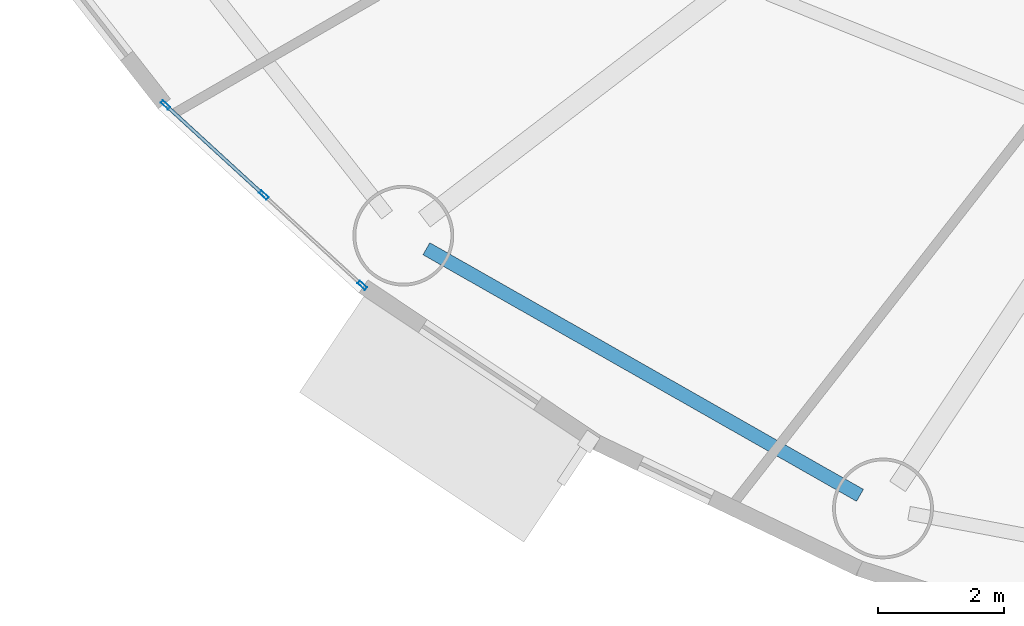
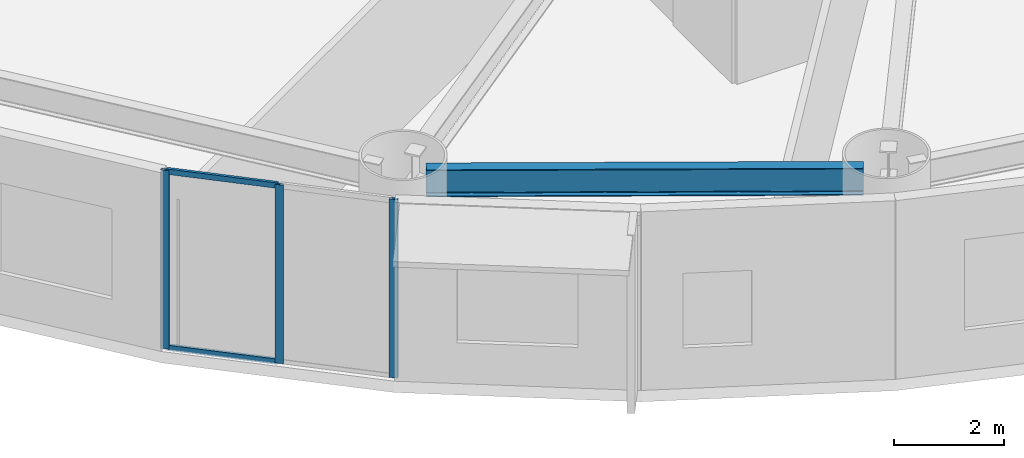
# One storey, part 4 of 32: 5 members, 1 beam, 1 element without a shape of its own.
"""IFC4 building model written with IfcOpenShell, lengths in metres."""

from ifc_helpers import new_model, si_unit, direction, frame, origin, origin_2d, place, context, subcontext, project, spatial, hollow_rectangle, i_section, extrude, source, transform, mapped, material, layer, layer_set, material_profile, profile_set, type_object, element, aggregate, save


model = new_model("IFC4")

# Units and contexts
model_context = context("Model", 3, precision=1e-05, world=origin(), true_north=direction((0.0, 1.0)))
body_context = subcontext(model_context, "Body", "Model", "MODEL_VIEW")
ifc_project = project(units=[si_unit("LENGTHUNIT", "METRE"), si_unit("AREAUNIT", "SQUARE_METRE"), si_unit("VOLUMEUNIT", "CUBIC_METRE"), si_unit("PLANEANGLEUNIT", "RADIAN"), si_unit("MASSUNIT", "GRAM", prefix="KILO")], contexts=[model_context])

# Site, building, storey
site_placement = place(None, origin())
site = spatial("IfcSite", under=ifc_project, at=site_placement, CompositionType="ELEMENT")
building_placement = place(site_placement, origin())
building = spatial("IfcBuilding", under=site, at=building_placement, Name="Linh Dai School and Residence Tower", CompositionType="ELEMENT")
storey_placement = place(building_placement, frame((0.0, 0.0, 53.39990234375)))
storey = spatial("IfcBuildingStorey", under=building, at=storey_placement, Name="L12", CompositionType="ELEMENT", Elevation=53.39990234375)

# Beam
ifc_material_1 = material(Name="Structural Steel S355JR", Category="steel")
ifc_material_profile_1 = material_profile(ifc_material_1, i_section(OverallWidth=0.219970703125, OverallDepth=0.60009765625, WebThickness=0.011962890625, FlangeThickness=0.01904296875, FilletRadius=0.02392578125, at=origin_2d()), Name="IPE 600")
ifc_profile_set_1 = profile_set([ifc_material_profile_1], Name="Structural Steel S355JR")
beam_type = type_object("IfcBeamType", Name="BM-RB60", PredefinedType="BEAM", material=ifc_profile_set_1)
beam_placement = place(storey_placement, frame((15.012451171875, 10.42333984375, 3.650146484375), z_axis=(0.869271416992, -0.494335112653, 0.0), x_axis=(0.494335112653, 0.869271416992, 0.0)))
element("IfcBeam", 1, at=beam_placement, inside=storey, type_object=beam_type, Name="L12 Perimeter Elliptical Ring Beam 11", PredefinedType="BEAM", context=body_context, shape_type="SweptSolid", body=[
    extrude(i_section(OverallWidth=0.219970703125, OverallDepth=0.60009765625, WebThickness=0.011962890625, FlangeThickness=0.01904296875, FilletRadius=0.02392578125, at=origin_2d()), origin(), (0.0, 0.0, 1.0), 7.91943359375),
])

# Curtain wall, members
ifc_material_2 = material(Name="Aluminium Anodised Curtain Wall", Category="aluminium")
ifc_layer = layer(ifc_material_2, 0.159912109375)
ifc_layer_set = layer_set([ifc_layer], Name="Aluminium Anodised Curtain Wall")
curtain_wall_type = type_object("IfcCurtainWallType", Name="CW-SYS-3", PredefinedType="USERDEFINED", material=ifc_layer_set)
curtain_wall_placement = place(storey_placement, origin())
curtain_wall = element("IfcCurtainWall", 2, at=curtain_wall_placement, inside=storey, type_object=curtain_wall_type, Name="L12 CW3 Curtain Wall 25", ObjectType="RIBBON CURTAIN WALL", PredefinedType="USERDEFINED")
ifc_material_3 = material(Name="Aluminium Alloy 6063-T6", Category="aluminium")
ifc_material_profile_2 = material_profile(ifc_material_3, hollow_rectangle(XDim=0.054931640625, YDim=0.159912109375, WallThickness=0.00390625, at=origin_2d()), Name="RHS 160x55x4")
ifc_profile_set_2 = profile_set([ifc_material_profile_2], Name="Aluminium Alloy 6063-T6")
member_type_1 = type_object("IfcMemberType", Name="CW-SYS-3-MUL", PredefinedType="MULLION", material=ifc_profile_set_2)
shared_shape_1 = source(origin(), body_context, "Body", "SweptSolid", [
    extrude(hollow_rectangle(XDim=0.054931640625, YDim=0.159912109375, WallThickness=0.00390625, at=origin_2d()), origin(), (0.0, 0.0, 1.0), 3.9501953125),
])
member_1_placement = place(storey_placement, frame((13.9951171875, 9.84228515625, 0.0), z_axis=(0.0, 0.0, 1.0), x_axis=(-0.675769237268, -0.737113246362, 0.0)))
member_1 = element("IfcMember", 3, at=member_1_placement, type_object=member_type_1, Name="CW3 mullion 1", PredefinedType="MULLION", context=body_context, shape_type="MappedRepresentation", body=[
    mapped(shared_shape_1, transform((0.0, 0.0, 0.0), x_axis=(1.0, 0.0, 0.0), y_axis=(0.0, 1.0, 0.0), z_axis=(0.0, 0.0, 1.0), scale=1.0)),
])
member_2_placement = place(storey_placement, frame((12.432861328125, 11.274658203125, 0.0), z_axis=(0.0, 0.0, 1.0), x_axis=(-0.675769237268, -0.737113246362, 0.0)))
member_2 = element("IfcMember", 4, at=member_2_placement, type_object=member_type_1, Name="CW3 mullion 2", PredefinedType="MULLION", context=body_context, shape_type="MappedRepresentation", body=[
    mapped(shared_shape_1, transform((0.0, 0.0, 0.0), x_axis=(1.0, 0.0, 0.0), y_axis=(0.0, 1.0, 0.0), z_axis=(0.0, 0.0, 1.0), scale=1.0)),
])
member_3_placement = place(storey_placement, frame((10.87060546875, 12.706787109375, 0.0), z_axis=(0.0, 0.0, 1.0), x_axis=(-0.675769237268, -0.737113246362, 0.0)))
member_3 = element("IfcMember", 5, at=member_3_placement, type_object=member_type_1, Name="CW3 mullion 3", PredefinedType="MULLION", context=body_context, shape_type="MappedRepresentation", body=[
    mapped(shared_shape_1, transform((0.0, 0.0, 0.0), x_axis=(1.0, 0.0, 0.0), y_axis=(0.0, 1.0, 0.0), z_axis=(0.0, 0.0, 1.0), scale=1.0)),
])
ifc_material_profile_3 = material_profile(ifc_material_3, hollow_rectangle(XDim=0.054931640625, YDim=0.1201171875, WallThickness=0.00390625, at=origin_2d()), Name="RHS 120x55x4")
ifc_profile_set_3 = profile_set([ifc_material_profile_3], Name="Aluminium Alloy 6063-T6")
member_type_2 = type_object("IfcMemberType", Name="CW-SYS-3-TRN", PredefinedType="USERDEFINED", material=ifc_profile_set_3)
shared_shape_2 = source(origin(), body_context, "Body", "SweptSolid", [
    extrude(hollow_rectangle(XDim=0.054931640625, YDim=0.1201171875, WallThickness=0.00390625, at=origin_2d()), origin(), (0.0, 0.0, 1.0), 2.064453125),
])
member_4_placement = place(storey_placement, frame((12.41259765625, 11.293212890625, 0.027587890625), z_axis=(-0.737129594686, 0.675751404466, 0.0), x_axis=(-0.675751404466, -0.737129594686, 0.0)))
member_4 = element("IfcMember", 6, at=member_4_placement, type_object=member_type_2, Name="CW3 transom 2.1", ObjectType="TRANSOM", PredefinedType="USERDEFINED", context=body_context, shape_type="MappedRepresentation", body=[
    mapped(shared_shape_2, transform((0.0, 0.0, 0.0), x_axis=(1.0, 0.0, 0.0), y_axis=(0.0, 1.0, 0.0), z_axis=(0.0, 0.0, 1.0), scale=1.0)),
])
member_5_placement = place(storey_placement, frame((12.41259765625, 11.293212890625, 3.922607421875), z_axis=(-0.737129594686, 0.675751404466, 0.0), x_axis=(-0.675751404466, -0.737129594686, 0.0)))
member_5 = element("IfcMember", 7, at=member_5_placement, type_object=member_type_2, Name="CW3 transom 2.2", ObjectType="TRANSOM", PredefinedType="USERDEFINED", context=body_context, shape_type="MappedRepresentation", body=[
    mapped(shared_shape_2, transform((0.0, 0.0, 0.0), x_axis=(1.0, 0.0, 0.0), y_axis=(0.0, 1.0, 0.0), z_axis=(0.0, 0.0, 1.0), scale=1.0)),
])
aggregate(curtain_wall, [member_1, member_2, member_3, member_4, member_5])

save(model, "model.ifc")
